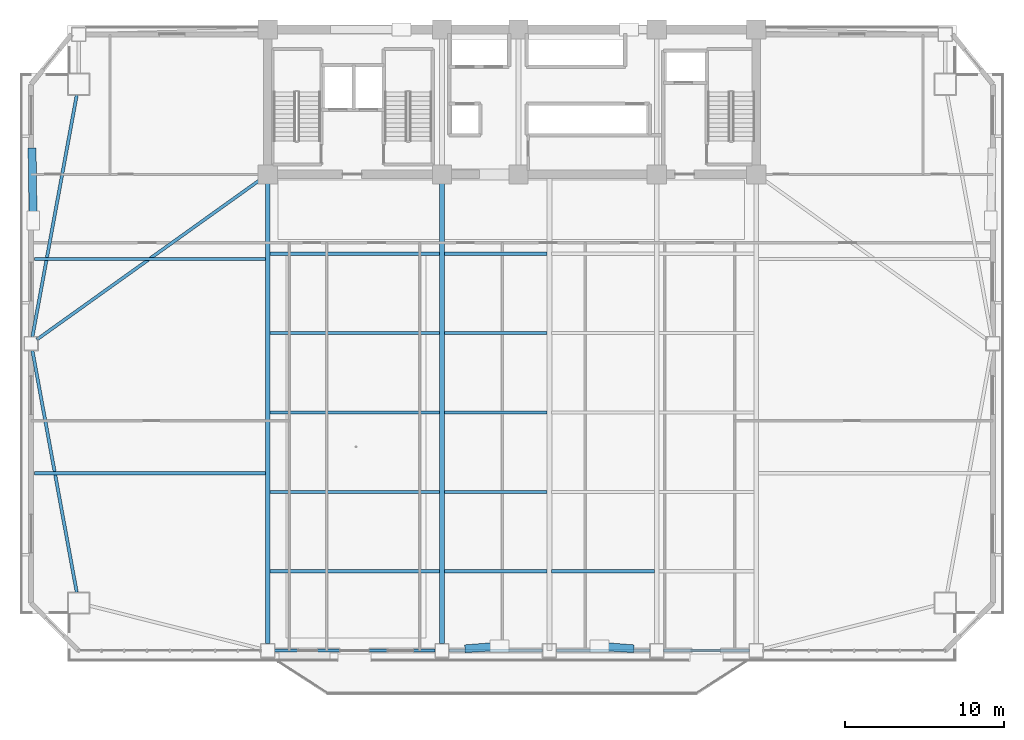
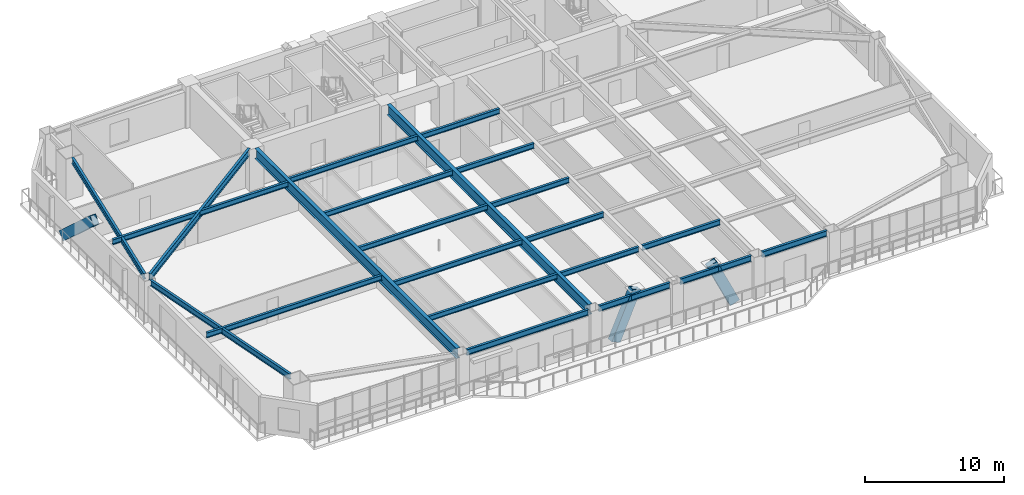
# One storey, part 3 of 15: 22 beams, 3 members.
"""IFC4 building model written with IfcOpenShell, lengths in metres."""

from ifc_helpers import new_model, si_unit, direction, frame, origin, origin_2d, place, context, subcontext, project, spatial, hollow_rectangle, i_section, extrude, source, transform, mapped, material, material_profile, profile_set, type_object, element, save


model = new_model("IFC4")

# Units and contexts
model_context = context("Model", 3, precision=1e-05, world=origin(), true_north=direction((0.0, 1.0)))
body_context = subcontext(model_context, "Body", "Model", "MODEL_VIEW")
ifc_project = project(units=[si_unit("LENGTHUNIT", "METRE"), si_unit("AREAUNIT", "SQUARE_METRE"), si_unit("VOLUMEUNIT", "CUBIC_METRE"), si_unit("PLANEANGLEUNIT", "RADIAN"), si_unit("MASSUNIT", "GRAM", prefix="KILO")], contexts=[model_context])

# Site, building, storey
site_placement = place(None, origin())
site = spatial("IfcSite", under=ifc_project, at=site_placement, CompositionType="ELEMENT")
building_placement = place(site_placement, origin())
building = spatial("IfcBuilding", under=site, at=building_placement, Name="Giltprow Tower", CompositionType="ELEMENT")
storey_placement = place(building_placement, frame((0.0, 0.0, 127.0)))
storey = spatial("IfcBuildingStorey", under=building, at=storey_placement, Name="L31", CompositionType="ELEMENT", Elevation=127.0)

# Beams
ifc_material_1 = material(Name="Structural steel Q355B", Category="steel")
ifc_material_profile_1 = material_profile(ifc_material_1, i_section(OverallWidth=0.199951171875, OverallDepth=0.449951171875, WebThickness=0.009033203125, FlangeThickness=0.013916015625, at=origin_2d()), Name="HN 450x200x9x14")
ifc_profile_set_1 = profile_set([ifc_material_profile_1], Name="Structural steel Q355B")
beam_type_1 = type_object("IfcBeamType", Name="BM-JOIST-HN450", PredefinedType="JOIST", material=ifc_profile_set_1)
shared_shape_1 = source(origin(), body_context, "Body", "SweptSolid", [
    extrude(i_section(OverallWidth=0.199951171875, OverallDepth=0.449951171875, WebThickness=0.009033203125, FlangeThickness=0.013916015625, at=origin_2d()), origin(), (0.0, 0.0, 1.0), 10.659912109375),
])
for number, where, z_axis, x_axis, name in (
    (1, (19.9951171875, 12.507080078125, 3.4150390625), (1.0, 0.0, 0.0), (0.0, 1.0, 0.0), "L31 Composite Floor Joist 1-1"),
    (2, (19.9951171875, 17.4951171875, 3.4150390625), (1.0, 0.0, 0.0), (0.0, 1.0, 0.0), "L31 Composite Floor Joist 2-1"),
    (3, (19.9951171875, 22.48388671875, 3.4150390625), (1.0, 0.0, 0.0), (0.0, 1.0, 0.0), "L31 Composite Floor Joist 3-1"),
    (4, (19.9951171875, 27.472900390625, 3.4150390625), (1.0, 0.0, 0.0), (0.0, 1.0, 0.0), "L31 Composite Floor Joist 4-1"),
    (5, (19.9951171875, 32.4609375, 3.4150390625), (1.0, 0.0, 0.0), (0.0, 1.0, 0.0), "L31 Composite Floor Joist 5-1"),
):
    element("IfcBeam", number, at=place(storey_placement, frame(where, z_axis=z_axis, x_axis=x_axis)), inside=storey, type_object=beam_type_1, Name=name, PredefinedType="JOIST", context=body_context, shape_type="MappedRepresentation", body=[
        mapped(shared_shape_1, transform((0.0, 0.0, 0.0), x_axis=(1.0, 0.0, 0.0), y_axis=(0.0, 1.0, 0.0), z_axis=(0.0, 0.0, 1.0), scale=1.0)),
    ])
shared_shape_2 = source(origin(), body_context, "Body", "SweptSolid", [
    extrude(i_section(OverallWidth=0.199951171875, OverallDepth=0.449951171875, WebThickness=0.009033203125, FlangeThickness=0.013916015625, at=origin_2d()), origin(), (0.0, 0.0, 1.0), 6.4599609375),
])
for number, where, z_axis, x_axis, name in (
    (6, (30.945068359375, 12.507080078125, 3.4150390625), (1.0, 0.0, 0.0), (0.0, 1.0, 0.0), "L31 Composite Floor Joist 1-2"),
    (7, (37.695068359375, 12.507080078125, 3.4150390625), (1.0, 0.0, 0.0), (0.0, 1.0, 0.0), "L31 Composite Floor Joist 1-3"),
    (8, (30.945068359375, 17.4951171875, 3.4150390625), (1.0, 0.0, 0.0), (0.0, 1.0, 0.0), "L31 Composite Floor Joist 2-2"),
    (9, (30.945068359375, 22.48388671875, 3.4150390625), (1.0, 0.0, 0.0), (0.0, 1.0, 0.0), "L31 Composite Floor Joist 3-2"),
    (10, (30.945068359375, 27.472900390625, 3.4150390625), (1.0, 0.0, 0.0), (0.0, 1.0, 0.0), "L31 Composite Floor Joist 4-2"),
    (11, (30.945068359375, 32.4609375, 3.4150390625), (1.0, 0.0, 0.0), (0.0, 1.0, 0.0), "L31 Composite Floor Joist 5-2"),
):
    element("IfcBeam", number, at=place(storey_placement, frame(where, z_axis=z_axis, x_axis=x_axis)), inside=storey, type_object=beam_type_1, Name=name, PredefinedType="JOIST", context=body_context, shape_type="MappedRepresentation", body=[
        mapped(shared_shape_2, transform((0.0, 0.0, 0.0), x_axis=(1.0, 0.0, 0.0), y_axis=(0.0, 1.0, 0.0), z_axis=(0.0, 0.0, 1.0), scale=1.0)),
    ])
ifc_material_profile_2 = material_profile(ifc_material_1, i_section(OverallWidth=0.199951171875, OverallDepth=0.5, WebThickness=0.010009765625, FlangeThickness=0.01611328125, at=origin_2d()), Name="HN 500x200x10x16")
ifc_profile_set_2 = profile_set([ifc_material_profile_2], Name="Structural steel Q355B")
beam_type_2 = type_object("IfcBeamType", Name="BM-SPAN-HN500", PredefinedType="SPANDREL", material=ifc_profile_set_2)
shared_shape_3 = source(origin(), body_context, "Body", "SweptSolid", [
    extrude(i_section(OverallWidth=0.199951171875, OverallDepth=0.5, WebThickness=0.010009765625, FlangeThickness=0.01611328125, at=origin_2d()), origin(), (0.0, 0.0, 1.0), 10.080078125),
])
beam_1_placement = place(storey_placement, frame((20.284912109375, 7.51806640625, 3.389892578125), z_axis=(1.0, 0.0, 0.0), x_axis=(0.0, 1.0, 0.0)))
element("IfcBeam", 12, at=beam_1_placement, inside=storey, type_object=beam_type_2, Name="L31 Perimeter Spandrel Beam S1-S2", PredefinedType="SPANDREL", context=body_context, shape_type="MappedRepresentation", body=[
    mapped(shared_shape_3, transform((0.0, 0.0, 0.0), x_axis=(1.0, 0.0, 0.0), y_axis=(0.0, 1.0, 0.0), z_axis=(0.0, 0.0, 1.0), scale=1.0)),
])
shared_shape_4 = source(origin(), body_context, "Body", "SweptSolid", [
    extrude(i_section(OverallWidth=0.199951171875, OverallDepth=0.5, WebThickness=0.010009765625, FlangeThickness=0.01611328125, at=origin_2d()), origin(), (0.0, 0.0, 1.0), 5.8798828125),
])
for number, where, z_axis, x_axis, name in (
    (13, (31.235107421875, 7.51806640625, 3.389892578125), (1.0, 0.0, 0.0), (0.0, 1.0, 0.0), "L31 Perimeter Spandrel Beam S2-S_MID"),
    (14, (37.985107421875, 7.51806640625, 3.389892578125), (1.0, 0.0, 0.0), (0.0, 1.0, 0.0), "L31 Perimeter Spandrel Beam S_MID-S3"),
):
    element("IfcBeam", number, at=place(storey_placement, frame(where, z_axis=z_axis, x_axis=x_axis)), inside=storey, type_object=beam_type_2, Name=name, PredefinedType="SPANDREL", context=body_context, shape_type="MappedRepresentation", body=[
        mapped(shared_shape_4, transform((0.0, 0.0, 0.0), x_axis=(1.0, 0.0, 0.0), y_axis=(0.0, 1.0, 0.0), z_axis=(0.0, 0.0, 1.0), scale=1.0)),
    ])
shared_shape_5 = source(origin(), body_context, "Body", "SweptSolid", [
    extrude(i_section(OverallWidth=0.199951171875, OverallDepth=0.5, WebThickness=0.010009765625, FlangeThickness=0.01611328125, at=origin_2d()), origin(), (0.0, 0.0, 1.0), 5.3798828125),
])
beam_2_placement = place(storey_placement, frame((44.735107421875, 7.51806640625, 3.389892578125), z_axis=(1.0, 0.0, 0.0), x_axis=(0.0, 1.0, 0.0)))
element("IfcBeam", 15, at=beam_2_placement, inside=storey, type_object=beam_type_2, Name="L31 Perimeter Spandrel Beam S3-S4", PredefinedType="SPANDREL", context=body_context, shape_type="MappedRepresentation", body=[
    mapped(shared_shape_5, transform((0.0, 0.0, 0.0), x_axis=(1.0, 0.0, 0.0), y_axis=(0.0, 1.0, 0.0), z_axis=(0.0, 0.0, 1.0), scale=1.0)),
])
shared_shape_6 = source(origin(), body_context, "Body", "SweptSolid", [
    extrude(i_section(OverallWidth=0.199951171875, OverallDepth=0.5, WebThickness=0.010009765625, FlangeThickness=0.01611328125, at=origin_2d()), origin(), (0.0, 0.0, 1.0), 15.45166015625),
])
for number, where, z_axis, x_axis, name in (
    (16, (7.845947265625, 42.43505859375, 3.389892578125), (-0.180424428161, -0.983588849938, 0.0), (0.983588849938, -0.180424428161, 0.0), "L31 Perimeter Spandrel Beam MC_NW-W_MID"),
    (17, (5.05810546875, 26.381103515625, 3.389892578125), (0.180424428161, -0.983588849938, 0.0), (0.983588849938, 0.180424428161, 0.0), "L31 Perimeter Spandrel Beam W_MID-MC_SW"),
):
    element("IfcBeam", number, at=place(storey_placement, frame(where, z_axis=z_axis, x_axis=x_axis)), inside=storey, type_object=beam_type_2, Name=name, PredefinedType="SPANDREL", context=body_context, shape_type="MappedRepresentation", body=[
        mapped(shared_shape_6, transform((0.0, 0.0, 0.0), x_axis=(1.0, 0.0, 0.0), y_axis=(0.0, 1.0, 0.0), z_axis=(0.0, 0.0, 1.0), scale=1.0)),
    ])
ifc_material_profile_3 = material_profile(ifc_material_1, i_section(OverallWidth=0.300048828125, OverallDepth=0.89990234375, WebThickness=0.01611328125, FlangeThickness=0.028076171875, at=origin_2d()), Name="HN 900x300x16x28")
ifc_profile_set_3 = profile_set([ifc_material_profile_3], Name="Structural steel Q355B")
beam_type_3 = type_object("IfcBeamType", Name="BM-GIRD-HN900", PredefinedType="BEAM", material=ifc_profile_set_3)
shared_shape_7 = source(origin(), body_context, "Body", "SweptSolid", [
    extrude(i_section(OverallWidth=0.300048828125, OverallDepth=0.89990234375, WebThickness=0.01611328125, FlangeThickness=0.028076171875, at=origin_2d()), origin(), (0.0, 0.0, 1.0), 28.912109375),
])
for number, where, z_axis, x_axis, name in (
    (18, (19.85009765625, 7.952880859375, 3.18994140625), (0.0, 1.0, 0.0), (-1.0, 0.0, 0.0), "L31 Primary Lease Girder S1"),
    (19, (30.800048828125, 7.952880859375, 3.18994140625), (0.0, 1.0, 0.0), (-1.0, 0.0, 0.0), "L31 Primary Lease Girder S2"),
):
    element("IfcBeam", number, at=place(storey_placement, frame(where, z_axis=z_axis, x_axis=x_axis)), inside=storey, type_object=beam_type_3, Name=name, PredefinedType="BEAM", context=body_context, shape_type="MappedRepresentation", body=[
        mapped(shared_shape_7, transform((0.0, 0.0, 0.0), x_axis=(1.0, 0.0, 0.0), y_axis=(0.0, 1.0, 0.0), z_axis=(0.0, 0.0, 1.0), scale=1.0)),
    ])
ifc_material_profile_4 = material_profile(ifc_material_1, i_section(OverallWidth=0.199951171875, OverallDepth=0.60009765625, WebThickness=0.010986328125, FlangeThickness=0.01708984375, at=origin_2d()), Name="HN 600x200x11x17")
ifc_profile_set_4 = profile_set([ifc_material_profile_4], Name="Structural steel Q355B")
beam_type_4 = type_object("IfcBeamType", Name="BM-GIRD-HN600", PredefinedType="BEAM", material=ifc_profile_set_4)
shared_shape_8 = source(origin(), body_context, "Body", "SweptSolid", [
    extrude(i_section(OverallWidth=0.199951171875, OverallDepth=0.60009765625, WebThickness=0.010986328125, FlangeThickness=0.01708984375, at=origin_2d()), origin(), (0.0, 0.0, 1.0), 17.265869140625),
])
beam_3_placement = place(storey_placement, frame((5.3330078125, 27.06201171875, 3.340087890625), z_axis=(0.813218189266, 0.581958913194, 0.0), x_axis=(-0.581958913194, 0.813218189266, 0.0)))
element("IfcBeam", 20, at=beam_3_placement, inside=storey, type_object=beam_type_4, Name="L31 West Wing Primary Girder", PredefinedType="BEAM", context=body_context, shape_type="MappedRepresentation", body=[
    mapped(shared_shape_8, transform((0.0, 0.0, 0.0), x_axis=(1.0, 0.0, 0.0), y_axis=(0.0, 1.0, 0.0), z_axis=(0.0, 0.0, 1.0), scale=1.0)),
])
shared_shape_9 = source(origin(), body_context, "Body", "SweptSolid", [
    extrude(i_section(OverallWidth=0.199951171875, OverallDepth=0.449951171875, WebThickness=0.009033203125, FlangeThickness=0.013916015625, at=origin_2d()), origin(), (0.0, 0.0, 1.0), 14.506103515625),
])
for number, where, z_axis, x_axis, name in (
    (21, (5.198974609375, 18.658935546875, 3.4150390625), (1.0, 0.0, 0.0), (0.0, 1.0, 0.0), "L31 West Wing Floor Joist 1"),
    (22, (5.198974609375, 32.1298828125, 3.4150390625), (1.0, 0.0, 0.0), (0.0, 1.0, 0.0), "L31 West Wing Floor Joist 2"),
):
    element("IfcBeam", number, at=place(storey_placement, frame(where, z_axis=z_axis, x_axis=x_axis)), inside=storey, type_object=beam_type_1, Name=name, PredefinedType="JOIST", context=body_context, shape_type="MappedRepresentation", body=[
        mapped(shared_shape_9, transform((0.0, 0.0, 0.0), x_axis=(1.0, 0.0, 0.0), y_axis=(0.0, 1.0, 0.0), z_axis=(0.0, 0.0, 1.0), scale=1.0)),
    ])

# Members
ifc_material_2 = material(Name="Structural steel Q420GJC", Category="steel")
ifc_material_profile_5 = material_profile(ifc_material_2, hollow_rectangle(XDim=0.5, YDim=0.800048828125, WallThickness=0.035888671875, at=origin_2d()), Name="RHS 800x500x36")
ifc_profile_set_5 = profile_set([ifc_material_profile_5], Name="Structural steel Q420GJC")
member_type = type_object("IfcMemberType", Name="MBR-MEGA-RHS800", PredefinedType="BRACE", material=ifc_profile_set_5)
shared_shape_10 = source(origin(), body_context, "Body", "SweptSolid", [
    extrude(hollow_rectangle(XDim=0.5, YDim=0.800048828125, WallThickness=0.035888671875, at=origin_2d()), origin(), (0.0, 0.0, 1.0), 4.298828125),
])
for number, where, z_axis, x_axis, name in (
    (23, (32.60302734375, 7.658935546875, 0.0), (0.419412090339, 0.032826024132, 0.907202265549), (-0.07802813392, 0.996951157438, 0.0), "L31 Chevron Mega-Brace S-L"),
    (24, (42.4970703125, 7.658935546875, 0.0), (-0.419412090339, 0.032826024132, 0.907202265549), (-0.07802813392, -0.996951157438, 0.0), "L31 Chevron Mega-Brace S-R"),
):
    element("IfcMember", number, at=place(storey_placement, frame(where, z_axis=z_axis, x_axis=x_axis)), inside=storey, type_object=member_type, Name=name, PredefinedType="BRACE", context=body_context, shape_type="MappedRepresentation", body=[
        mapped(shared_shape_10, transform((0.0, 0.0, 0.0), x_axis=(1.0, 0.0, 0.0), y_axis=(0.0, 1.0, 0.0), z_axis=(0.0, 0.0, 1.0), scale=1.0)),
    ])
shared_shape_11 = source(origin(), body_context, "Body", "SweptSolid", [
    extrude(hollow_rectangle(XDim=0.5, YDim=0.800048828125, WallThickness=0.035888671875, at=origin_2d()), origin(), (0.0, 0.0, 1.0), 5.79345703125),
])
member_placement = place(storey_placement, frame((5.0419921875, 38.824951171875, 0.0), z_axis=(0.010872124811, -0.739430907186, 0.673144657856), x_axis=(0.999891923007, 0.014701779001, 0.0)))
element("IfcMember", 25, at=member_placement, inside=storey, type_object=member_type, Name="L31 Chevron Mega-Brace W-R", PredefinedType="BRACE", context=body_context, shape_type="MappedRepresentation", body=[
    mapped(shared_shape_11, transform((0.0, 0.0, 0.0), x_axis=(1.0, 0.0, 0.0), y_axis=(0.0, 1.0, 0.0), z_axis=(0.0, 0.0, 1.0), scale=1.0)),
])

save(model, "model.ifc")
